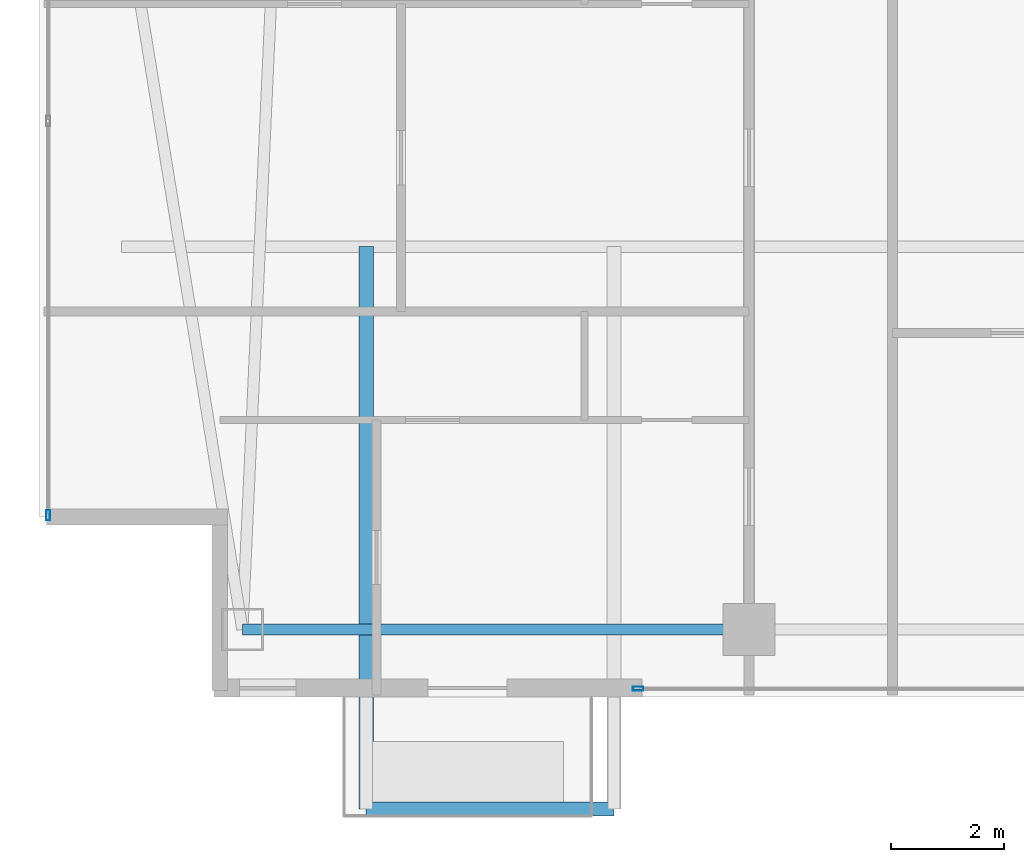
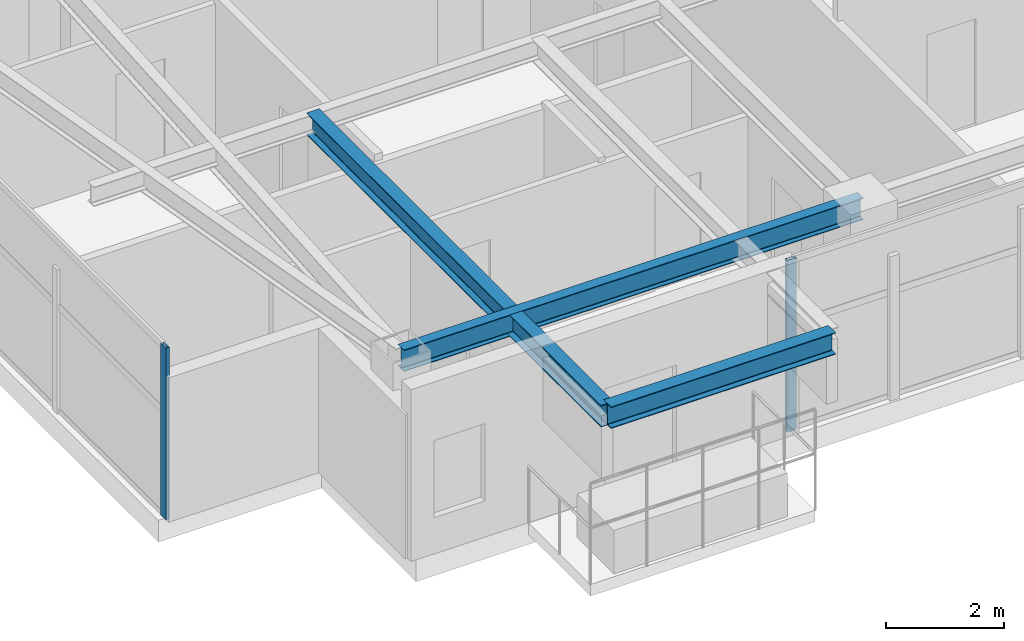
# One storey, part 2 of 28: 3 beams, 2 members, 2 elements without a shape of their own.
"""IFC4 building model written with IfcOpenShell, lengths in metres."""

from ifc_helpers import new_model, si_unit, direction, frame, origin, origin_2d, place, context, subcontext, project, spatial, hollow_rectangle, i_section, extrude, material, layer, layer_set, material_profile, profile_set, type_object, element, aggregate, save


model = new_model("IFC4")

# Units and contexts
model_context = context("Model", 3, precision=1e-05, world=origin(), true_north=direction((0.0, 1.0)))
body_context = subcontext(model_context, "Body", "Model", "MODEL_VIEW")
ifc_project = project(units=[si_unit("LENGTHUNIT", "METRE"), si_unit("AREAUNIT", "SQUARE_METRE"), si_unit("VOLUMEUNIT", "CUBIC_METRE"), si_unit("PLANEANGLEUNIT", "RADIAN"), si_unit("MASSUNIT", "GRAM", prefix="KILO")], contexts=[model_context])

# Site, building, storey
site_placement = place(None, origin())
site = spatial("IfcSite", under=ifc_project, at=site_placement, CompositionType="ELEMENT")
building_placement = place(site_placement, origin())
building = spatial("IfcBuilding", under=site, at=building_placement, Name="Calvorn Quay Hotel", CompositionType="ELEMENT")
storey_placement = place(building_placement, frame((0.0, 0.0, 243.800048828125)))
storey = spatial("IfcBuildingStorey", under=building, at=storey_placement, Name="L60", CompositionType="ELEMENT", Elevation=243.800048828125)

# Beams
ifc_material_1 = material(Name="Steel Q355B", Category="steel")
ifc_material_profile_1 = material_profile(ifc_material_1, i_section(OverallWidth=0.25, OverallDepth=0.449951171875, WebThickness=0.011962890625, FlangeThickness=0.01611328125, FilletRadius=0.01611328125, at=origin_2d()), Name="HN450x250x12x16")
ifc_profile_set_1 = profile_set([ifc_material_profile_1], Name="Steel Q355B")
beam_type_1 = type_object("IfcBeamType", Name="BM-CANT-BALC", PredefinedType="BEAM", material=ifc_profile_set_1)
beam_1_placement = place(storey_placement, frame((5.800048828125, 10.39990234375, 3.31494140625), z_axis=(0.0, -1.0, 0.0), x_axis=(1.0, 0.0, 0.0)))
element("IfcBeam", 1, at=beam_1_placement, inside=storey, type_object=beam_type_1, Name="Cantilever Balcony Beam BCB-L61-2A", PredefinedType="BEAM", context=body_context, shape_type="SweptSolid", body=[
    extrude(i_section(OverallWidth=0.25, OverallDepth=0.449951171875, WebThickness=0.011962890625, FlangeThickness=0.01611328125, FilletRadius=0.01611328125, at=origin_2d()), origin(), (0.0, 0.0, 1.0), 9.989990234375),
])
beam_2_placement = place(storey_placement, frame((5.800048828125, 0.409912109375, 3.31494140625), z_axis=(1.0, 0.0, 0.0), x_axis=(0.0, 1.0, 0.0)))
element("IfcBeam", 2, at=beam_2_placement, inside=storey, type_object=beam_type_1, Name="Beam BCBO-L61-2", PredefinedType="BEAM", context=body_context, shape_type="SweptSolid", body=[
    extrude(i_section(OverallWidth=0.25, OverallDepth=0.449951171875, WebThickness=0.011962890625, FlangeThickness=0.01611328125, FilletRadius=0.01611328125, at=origin_2d()), origin(), (0.0, 0.0, 1.0), 4.39990234375),
])
ifc_material_2 = material(Name="Steel Q355B", Category="steel")
ifc_material_profile_2 = material_profile(ifc_material_2, i_section(OverallWidth=0.199951171875, OverallDepth=0.449951171875, WebThickness=0.009033203125, FlangeThickness=0.013916015625, FilletRadius=0.01611328125, at=origin_2d()), Name="HN450x200x9x14")
ifc_profile_set_2 = profile_set([ifc_material_profile_2], Name="Steel Q355B")
beam_type_2 = type_object("IfcBeamType", Name="BM-SPANDREL-Z3", PredefinedType="SPANDREL", material=ifc_profile_set_2)
beam_3_placement = place(storey_placement, frame((3.60009765625, 3.60009765625, 3.31494140625), z_axis=(1.0, 0.0, 0.0), x_axis=(0.0, 1.0, 0.0)))
element("IfcBeam", 3, at=beam_3_placement, inside=storey, type_object=beam_type_2, Name="Beam BSP-L60-S1", PredefinedType="SPANDREL", context=body_context, shape_type="SweptSolid", body=[
    extrude(i_section(OverallWidth=0.199951171875, OverallDepth=0.449951171875, WebThickness=0.009033203125, FlangeThickness=0.013916015625, FilletRadius=0.01611328125, at=origin_2d()), origin(), (0.0, 0.0, 1.0), 9.0),
])

# Curtain wall, member
ifc_material_3 = material(Name="Champagne Bronze Anodised Aluminium and Low-E Glass", Category="aluminium")
ifc_layer = layer(ifc_material_3, 0.219970703125)
ifc_layer_set = layer_set([ifc_layer], Name="CW-SYS-Z3")
curtain_wall_type = type_object("IfcCurtainWallType", Name="CW-SYS-Z3", PredefinedType="NOTDEFINED", material=ifc_layer_set)
curtain_wall_1_placement = place(storey_placement, origin())
curtain_wall_1 = element("IfcCurtainWall", 4, at=curtain_wall_1_placement, inside=storey, type_object=curtain_wall_type, Name="Tower West Curtain Wall (L60)", PredefinedType="NOTDEFINED")
ifc_material_4 = material(Name="Champagne Bronze Anodised Aluminium 6063-T6", Category="aluminium")
ifc_material_profile_3 = material_profile(ifc_material_4, hollow_rectangle(XDim=0.068115234375, YDim=0.18505859375, WallThickness=0.00390625, at=origin_2d()), Name="ALU-M185x68x4")
ifc_profile_set_3 = profile_set([ifc_material_profile_3], Name="Champagne Bronze Anodised Aluminium 6063-T6")
member_type = type_object("IfcMemberType", Name="CW-SYS-Z3-MUL", PredefinedType="MULLION", material=ifc_profile_set_3)
member_1_placement = place(storey_placement, frame((0.14990234375, 5.6298828125, 0.0), z_axis=(0.0, 0.0, 1.0), x_axis=(-1.0, 0.0, 0.0)))
member_1 = element("IfcMember", 5, at=member_1_placement, type_object=member_type, Name="CW-L60-W mullion 1", PredefinedType="MULLION", context=body_context, shape_type="SweptSolid", body=[
    extrude(hollow_rectangle(XDim=0.068115234375, YDim=0.18505859375, WallThickness=0.00390625, at=origin_2d()), origin(), (0.0, 0.0, 1.0), 3.56005859375),
])
aggregate(curtain_wall_1, [member_1])

curtain_wall_2_placement = place(storey_placement, origin())
curtain_wall_2 = element("IfcCurtainWall", 6, at=curtain_wall_2_placement, inside=storey, type_object=curtain_wall_type, Name="Tower South Waterfront Curtain Wall (L60)", PredefinedType="NOTDEFINED")
member_2_placement = place(storey_placement, frame((10.6298828125, 2.550048828125, 0.0), z_axis=(0.0, 0.0, 1.0), x_axis=(0.0, 1.0, 0.0)))
member_2 = element("IfcMember", 7, at=member_2_placement, type_object=member_type, Name="CW-L60-S mullion 1", PredefinedType="MULLION", context=body_context, shape_type="SweptSolid", body=[
    extrude(hollow_rectangle(XDim=0.068115234375, YDim=0.18505859375, WallThickness=0.00390625, at=origin_2d()), origin(), (0.0, 0.0, 1.0), 3.56005859375),
])
aggregate(curtain_wall_2, [member_2])

save(model, "model.ifc")
